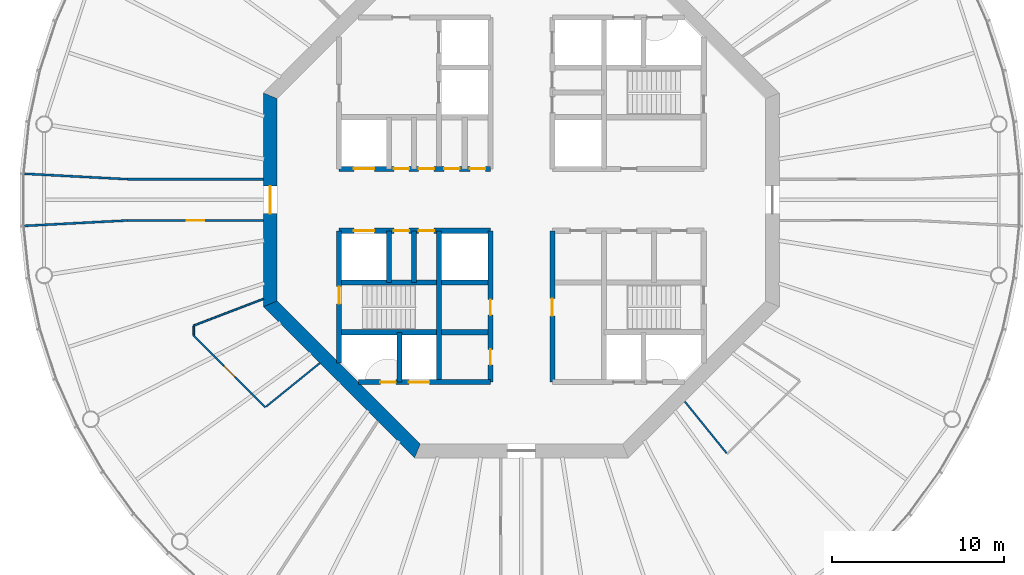
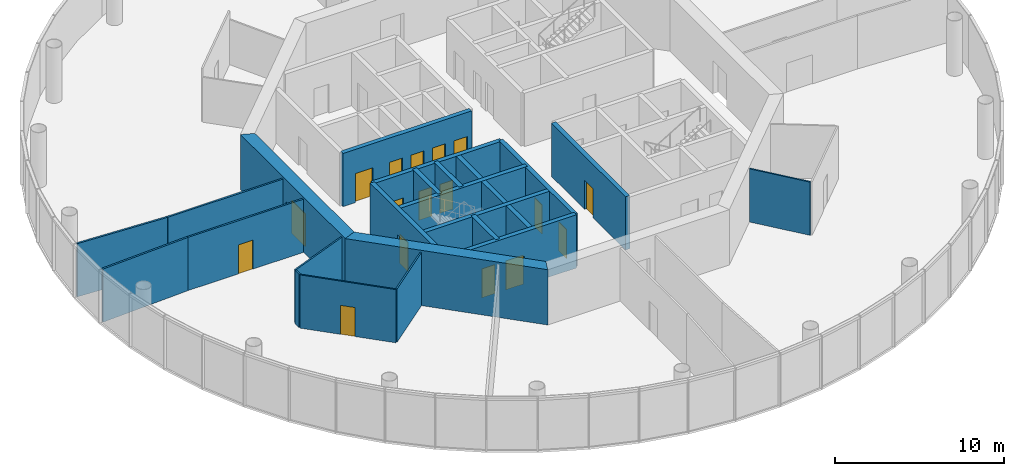
# One storey, part 3 of 13: 23 walls, 17 doors, 17 openings.
"""IFC4 building model written with IfcOpenShell, lengths in metres."""

import ifcopenshell
import ifcopenshell.guid

model = None  # the IFC model being written
_history = None  # IfcOwnerHistory: only IFC2X3 demands one
_inside = {}  # id of a spatial element -> (the spatial element, [elements in it])
_under = {}  # id of a project, library or spatial element -> (it, [spatial elements below it])
_declared = {}  # id of a project -> (the project, [libraries it declares])
_typed = {}  # id of a type object -> (the type object, [elements of that type])
_made_of = {}  # id of a material, layer set ... -> (it, [elements and type objects made of it])


def new_model(schema):
    """Start an empty IFC model of exactly this schema.

    Asked for "IFC4X3", IfcOpenShell would pick the latest addendum, in which some entities
    have other attributes; the version numbers below select the first issue.
    IFC2X3 requires an IfcOwnerHistory on every rooted entity: one is made here for all.
    """
    global model, _history
    if schema == "IFC4X3":
        model = ifcopenshell.file(schema_version=(4, 3, 0, 0))
    else:
        model = ifcopenshell.file(schema=schema)
    _inside.clear()
    _under.clear()
    _declared.clear()
    _typed.clear()
    _made_of.clear()
    _history = None
    if model.schema == "IFC2X3":
        org = make("IfcOrganization", Name="unknown")
        user = make(
            "IfcPersonAndOrganization",
            ThePerson=make("IfcPerson", FamilyName="unknown"),
            TheOrganization=org,
        )
        app = make(
            "IfcApplication",
            ApplicationDeveloper=org,
            Version="unknown",
            ApplicationFullName="unknown",
            ApplicationIdentifier="unknown",
        )
        _history = make(
            "IfcOwnerHistory",
            OwningUser=user,
            OwningApplication=app,
            ChangeAction="ADDED",
            CreationDate=0,
        )
    return model


def make(cls, **values):
    """One entity of the class cls with the attributes given. An attribute that is None is left unset."""
    return model.create_entity(
        cls, **{name: value for name, value in values.items() if value is not None}
    )


def rooted(cls, **values):
    """An entity with a GlobalId (a new one), such as an element, a storey or a relation."""
    return make(cls, GlobalId=ifcopenshell.guid.new(), OwnerHistory=_history, **values)


def si_unit(unit_type, name, prefix=None):
    """IfcSIUnit, for example si_unit("LENGTHUNIT", "METRE", prefix="MILLI")."""
    return make("IfcSIUnit", UnitType=unit_type, Prefix=prefix, Name=name)


def assignment(units):
    """IfcUnitAssignment: the units of a project."""
    return None if units is None else make("IfcUnitAssignment", Units=units)


def point(xyz):
    """IfcCartesianPoint."""
    return None if xyz is None else make("IfcCartesianPoint", Coordinates=xyz)


def direction(xyz):
    """IfcDirection."""
    return None if xyz is None else make("IfcDirection", DirectionRatios=xyz)


def frame(location, z_axis=None, x_axis=None):
    """IfcAxis2Placement3D, a coordinate frame: its origin and axes. An axis left out is left unset."""
    return make(
        "IfcAxis2Placement3D",
        Location=point(location),
        Axis=direction(z_axis),
        RefDirection=direction(x_axis),
    )


def frame_2d(location, x_axis=None):
    """IfcAxis2Placement2D, a coordinate frame in the plane: its origin and x axis."""
    return make(
        "IfcAxis2Placement2D", Location=point(location), RefDirection=direction(x_axis)
    )


def origin():
    """The frame at (0, 0, 0) with its axes left unset."""
    return frame((0.0, 0.0, 0.0))


def place(relative_to, where):
    """IfcLocalPlacement: puts the frame where relative to a parent placement (None: the world)."""
    return make(
        "IfcLocalPlacement", PlacementRelTo=relative_to, RelativePlacement=where
    )


def context(
    kind, dimensions, precision=None, world=None, true_north=None, identifier=None
):
    """IfcGeometricRepresentationContext, for example the 3D "Model" context."""
    return make(
        "IfcGeometricRepresentationContext",
        ContextIdentifier=identifier,
        ContextType=kind,
        CoordinateSpaceDimension=dimensions,
        Precision=precision,
        WorldCoordinateSystem=world,
        TrueNorth=true_north,
    )


def subcontext(parent, identifier, kind, view, scale=None):
    """IfcGeometricRepresentationSubContext, for example "Body" below "Model"."""
    return make(
        "IfcGeometricRepresentationSubContext",
        ContextIdentifier=identifier,
        ContextType=kind,
        ParentContext=parent,
        TargetScale=scale,
        TargetView=view,
    )


def project(units=None, contexts=None):
    """IfcProject with its units and contexts."""
    return rooted(
        "IfcProject",
        Name="project",
        RepresentationContexts=contexts,
        UnitsInContext=assignment(units),
    )


def spatial(cls, under=None, at=None, **own):
    """A site, building, storey or space (cls), placed at a placement, below another one or the project."""
    s = rooted(cls, ObjectPlacement=at, **own)
    if under is not None:
        _under.setdefault(under.id(), (under, []))[1].append(s)
    return s


def polyline(points):
    """IfcPolyline through the points."""
    return make("IfcPolyline", Points=[point(p) for p in points])


def profile(cls, at=None, kind="AREA", **sizes):
    """A parametric profile (cls). Its sizes go by their IFC names, for example OverallWidth=200.0."""
    return make(cls, ProfileType=kind, Position=at, **sizes)


def rectangle(**sizes):
    """IfcRectangleProfileDef."""
    return profile("IfcRectangleProfileDef", **sizes)


def outline(outer, holes=None, kind="AREA"):
    """IfcArbitraryClosedProfileDef: a profile drawn as a closed curve; with holes, ...WithVoids."""
    if holes is None:
        return make("IfcArbitraryClosedProfileDef", ProfileType=kind, OuterCurve=outer)
    return make(
        "IfcArbitraryProfileDefWithVoids",
        ProfileType=kind,
        OuterCurve=outer,
        InnerCurves=holes,
    )


def extrude(swept, where, along, depth):
    """IfcExtrudedAreaSolid: the profile swept, set in the frame where, extruded along a direction by depth."""
    return make(
        "IfcExtrudedAreaSolid",
        SweptArea=swept,
        Position=where,
        ExtrudedDirection=direction(along),
        Depth=depth,
    )


def shape(context_of_items, identifier, shape_type, items):
    """IfcShapeRepresentation: the items that make up one representation, for example the "Body"."""
    return make(
        "IfcShapeRepresentation",
        ContextOfItems=context_of_items,
        RepresentationIdentifier=identifier,
        RepresentationType=shape_type,
        Items=items,
    )


def material(Name=None, Category=None):
    """IfcMaterial."""
    return make("IfcMaterial", Name=Name, Category=Category)


def layer(
    of_material, thickness, ventilated=None, Name=None, Category=None, Priority=None
):
    """IfcMaterialLayer: one layer of a wall or slab, of a material (None: an air gap)."""
    return make(
        "IfcMaterialLayer",
        Material=of_material,
        LayerThickness=thickness,
        IsVentilated=ventilated,
        Name=Name,
        Category=Category,
        Priority=Priority,
    )


def layer_set(layers, Name=None):
    """IfcMaterialLayerSet."""
    return make("IfcMaterialLayerSet", MaterialLayers=layers, LayerSetName=Name)


def made_of(thing, what):
    """Note that an element or type object is made of a material, layer set ...; save() writes the relation."""
    if what is not None:
        _made_of.setdefault(what.id(), (what, []))[1].append(thing)
    return thing


def type_object(cls, material=None, **own):
    """A type object (cls), such as IfcWallType, which elements share."""
    return made_of(rooted(cls, **own), material)


def element(
    cls,
    number,
    at=None,
    inside=None,
    cuts=None,
    type_object=None,
    material=None,
    context=None,
    identifier="Body",
    shape_type=None,
    held_by="IfcProductDefinitionShape",
    body=None,
    shapes=None,
    **own,
):
    """One element of the class cls, such as IfcWall. Its Tag is "e" and its number.

    at: its placement. inside: the storey or other place that contains it. cuts: it is an
    opening in that element (IfcRelVoidsElement). A single representation is given by context,
    identifier, shape_type and body (its items); several are given by shapes. held_by: the class
    of the entity that holds the representations. save() writes the other relations.
    """
    e = rooted(cls, Tag="e%d" % number, ObjectPlacement=at, **own)
    if body is not None:
        shapes = [shape(context, identifier, shape_type, body)]
    if shapes is not None:
        e.Representation = make(held_by, Representations=shapes)
    if inside is not None:
        _inside.setdefault(inside.id(), (inside, []))[1].append(e)
    if cuts is not None:
        rooted(
            "IfcRelVoidsElement", RelatingBuildingElement=cuts, RelatedOpeningElement=e
        )
    if type_object is not None:
        _typed.setdefault(type_object.id(), (type_object, []))[1].append(e)
    return made_of(e, material)


def fill(opening, filler):
    """IfcRelFillsElement: the door or window that sits in an opening."""
    return rooted(
        "IfcRelFillsElement",
        RelatingOpeningElement=opening,
        RelatedBuildingElement=filler,
    )


def aggregate(whole, parts):
    """IfcRelAggregates: a whole, such as a stair, and the parts it consists of."""
    return rooted("IfcRelAggregates", RelatingObject=whole, RelatedObjects=parts)


def save(model, path):
    """Write the relations noted so far, then the file.

    IfcRelAggregates (storeys below a building ...), IfcRelContainedInSpatialStructure (elements
    in a storey), IfcRelDefinesByType, IfcRelAssociatesMaterial and IfcRelDeclares: one each for
    every whole, place, type object, material and project.
    """
    for whole, parts in _under.values():
        aggregate(whole, parts)
    for where, things in _inside.values():
        rooted(
            "IfcRelContainedInSpatialStructure",
            RelatedElements=things,
            RelatingStructure=where,
        )
    for kind, things in _typed.values():
        rooted("IfcRelDefinesByType", RelatedObjects=things, RelatingType=kind)
    for what, things in _made_of.values():
        rooted("IfcRelAssociatesMaterial", RelatedObjects=things, RelatingMaterial=what)
    for by, libraries in _declared.values():
        rooted("IfcRelDeclares", RelatingContext=by, RelatedDefinitions=libraries)
    model.write(path)


model = new_model("IFC4")

# Units and contexts
model_context = context("Model", 3, precision=1e-05, world=origin(), true_north=direction((0.0, 1.0)))
body_context = subcontext(model_context, "Body", "Model", "MODEL_VIEW")
ifc_project = project(units=[si_unit("LENGTHUNIT", "METRE"), si_unit("AREAUNIT", "SQUARE_METRE"), si_unit("VOLUMEUNIT", "CUBIC_METRE"), si_unit("PLANEANGLEUNIT", "RADIAN"), si_unit("MASSUNIT", "GRAM", prefix="KILO")], contexts=[model_context])

# Site, building, storey
site_placement = place(None, origin())
site = spatial("IfcSite", under=ifc_project, at=site_placement, CompositionType="ELEMENT")
building_placement = place(site_placement, origin())
building = spatial("IfcBuilding", under=site, at=building_placement, Name="Entoto Ring Tower", CompositionType="ELEMENT")
storey_placement = place(building_placement, frame((0.0, 0.0, 298.0)))
storey = spatial("IfcBuildingStorey", under=building, at=storey_placement, Name="L68", CompositionType="ELEMENT", Elevation=298.0)

# Wall, opening, door
ifc_material_1 = material(Name="Concrete C40/50", Category="concrete")
ifc_layer_1 = layer(ifc_material_1, 0.300048828125)
ifc_layer_set_1 = layer_set([ifc_layer_1], Name="Concrete C40/50")
wall_type_1 = type_object("IfcWallType", Name="Core enclosure wall 300 mm reinforced concrete", PredefinedType="SOLIDWALL", material=ifc_layer_set_1)
wall_1_placement = place(storey_placement, frame((91.800048828125, 69.39990234375, 0.0), z_axis=(0.0, 0.0, 1.0), x_axis=(0.0, 1.0, 0.0)))
wall_1 = element("IfcWall", 1, at=wall_1_placement, inside=storey, type_object=wall_type_1, Name="wall-L68-008", PredefinedType="SOLIDWALL", context=body_context, shape_type="SweptSolid", body=[
    extrude(rectangle(XDim=8.800048828125, YDim=0.300048828125, at=frame_2d((4.39990234375, 0.0))), origin(), (0.0, 0.0, 1.0), 3.85009765625),
])
opening_1_placement = place(wall_1_placement, frame((3.85009765625, 0.0, 0.0)))
opening_1 = element("IfcOpeningElement", 2, at=opening_1_placement, cuts=wall_1, Name="Opening K-64", PredefinedType="OPENING", context=body_context, shape_type="SweptSolid", body=[
    extrude(rectangle(XDim=1.0, YDim=2.10009765625, at=frame_2d((0.5, 1.050048828125))), frame((0.0, 0.16015625, 0.0), z_axis=(0.0, -1.0, 0.0), x_axis=(1.0, 0.0, 0.0)), (0.0, 0.0, 1.0), 0.320068359375),
])
ifc_material_2 = material(Name="Steel door leaf, fire rated", Category="steel")
ifc_layer_2 = layer(ifc_material_2, 0.050048828125)
ifc_layer_set_2 = layer_set([ifc_layer_2], Name="Steel door leaf, fire rated")
door_type_1 = type_object("IfcDoorType", Name="Accessible door 1000 x 2100 single leaf", OperationType="NOTDEFINED", PredefinedType="DOOR", material=ifc_layer_set_2)
door_1_placement = place(opening_1_placement, frame((1.0, 0.0, 0.0), z_axis=(0.0, 0.0, 1.0), x_axis=(-1.0, 0.0, 0.0)))
door_1 = element("IfcDoor", 3, at=door_1_placement, inside=storey, type_object=door_type_1, Name="Door K-64", OperationType="SINGLE_SWING_LEFT", OverallHeight=2.10009765625, OverallWidth=1.0, PredefinedType="DOOR", context=body_context, shape_type="SweptSolid", body=[
    extrude(rectangle(XDim=1.0, YDim=2.10009765625, at=frame_2d((0.5, 1.050048828125))), frame((0.0, 0.02490234375, 0.0), z_axis=(0.0, -1.0, 0.0), x_axis=(1.0, 0.0, 0.0)), (0.0, 0.0, 1.0), 0.050048828125),
])
fill(opening_1, door_1)

# Wall, openings, doors
wall_2_placement = place(storey_placement, frame((88.199951171875, 69.39990234375, 0.0), z_axis=(0.0, 0.0, 1.0), x_axis=(0.0, 1.0, 0.0)))
wall_2 = element("IfcWall", 4, at=wall_2_placement, inside=storey, type_object=wall_type_1, Name="wall-L68-010", PredefinedType="SOLIDWALL", context=body_context, shape_type="SweptSolid", body=[
    extrude(rectangle(XDim=8.800048828125, YDim=0.300048828125, at=frame_2d((4.39990234375, 0.0))), origin(), (0.0, 0.0, 1.0), 3.85009765625),
])
opening_2_placement = place(wall_2_placement, frame((3.89990234375, 0.0, 0.0)))
opening_2 = element("IfcOpeningElement", 5, at=opening_2_placement, cuts=wall_2, Name="Opening K-21", PredefinedType="OPENING", context=body_context, shape_type="SweptSolid", body=[
    extrude(rectangle(XDim=0.89990234375, YDim=2.10009765625, at=frame_2d((0.449951171875, 1.050048828125))), frame((0.0, 0.16015625, 0.0), z_axis=(0.0, -1.0, 0.0), x_axis=(1.0, 0.0, 0.0)), (0.0, 0.0, 1.0), 0.320068359375),
])
opening_3_placement = place(wall_2_placement, frame((1.0, 0.0, 0.0)))
opening_3 = element("IfcOpeningElement", 6, at=opening_3_placement, cuts=wall_2, Name="Opening K-69", PredefinedType="OPENING", context=body_context, shape_type="SweptSolid", body=[
    extrude(rectangle(XDim=0.89990234375, YDim=2.10009765625, at=frame_2d((0.449951171875, 1.050048828125))), frame((0.0, 0.16015625, 0.0), z_axis=(0.0, -1.0, 0.0), x_axis=(1.0, 0.0, 0.0)), (0.0, 0.0, 1.0), 0.320068359375),
])
ifc_material_3 = material(Name="Steel door leaf, fire rated", Category="steel")
ifc_layer_3 = layer(ifc_material_3, 0.050048828125)
ifc_layer_set_3 = layer_set([ifc_layer_3], Name="Steel door leaf, fire rated")
door_type_2 = type_object("IfcDoorType", Name="Core door 900 x 2100 single leaf", OperationType="NOTDEFINED", PredefinedType="DOOR", material=ifc_layer_set_3)
door_2_placement = place(opening_2_placement, origin())
door_2 = element("IfcDoor", 7, at=door_2_placement, inside=storey, type_object=door_type_2, Name="Door K-21", OperationType="SINGLE_SWING_RIGHT", OverallHeight=2.10009765625, OverallWidth=0.89990234375, PredefinedType="DOOR", context=body_context, shape_type="SweptSolid", body=[
    extrude(rectangle(XDim=0.89990234375, YDim=2.10009765625, at=frame_2d((0.449951171875, 1.050048828125))), frame((0.0, 0.02490234375, 0.0), z_axis=(0.0, -1.0, 0.0), x_axis=(1.0, 0.0, 0.0)), (0.0, 0.0, 1.0), 0.050048828125),
])
fill(opening_2, door_2)
door_3_placement = place(opening_3_placement, origin())
door_3 = element("IfcDoor", 8, at=door_3_placement, inside=storey, type_object=door_type_2, Name="Door K-69", OperationType="SINGLE_SWING_RIGHT", OverallHeight=2.10009765625, OverallWidth=0.89990234375, PredefinedType="DOOR", context=body_context, shape_type="SweptSolid", body=[
    extrude(rectangle(XDim=0.89990234375, YDim=2.10009765625, at=frame_2d((0.449951171875, 1.050048828125))), frame((0.0, 0.02490234375, 0.0), z_axis=(0.0, -1.0, 0.0), x_axis=(1.0, 0.0, 0.0)), (0.0, 0.0, 1.0), 0.050048828125),
])
fill(opening_3, door_3)

# Walls
wall_3_placement = place(storey_placement, frame((85.199951171875, 69.39990234375, 0.0), z_axis=(0.0, 0.0, 1.0), x_axis=(0.0, 1.0, 0.0)))
element("IfcWall", 9, at=wall_3_placement, inside=storey, type_object=wall_type_1, Name="wall-L68-013", PredefinedType="SOLIDWALL", context=body_context, shape_type="SweptSolid", body=[
    extrude(rectangle(XDim=8.800048828125, YDim=0.300048828125, at=frame_2d((4.39990234375, 0.0))), origin(), (0.0, 0.0, 1.0), 3.85009765625),
])
wall_4_placement = place(storey_placement, frame((83.75, 75.199951171875, 0.0), z_axis=(0.0, 0.0, 1.0), x_axis=(0.0, 1.0, 0.0)))
element("IfcWall", 10, at=wall_4_placement, inside=storey, type_object=wall_type_1, Name="wall-L68-015", PredefinedType="SOLIDWALL", context=body_context, shape_type="SweptSolid", body=[
    extrude(rectangle(XDim=3.0, YDim=0.300048828125, at=frame_2d((1.5, 0.0))), origin(), (0.0, 0.0, 1.0), 3.85009765625),
])
wall_5_placement = place(storey_placement, frame((82.89990234375, 69.39990234375, 0.0), z_axis=(0.0, 0.0, 1.0), x_axis=(0.0, 1.0, 0.0)))
element("IfcWall", 11, at=wall_5_placement, inside=storey, type_object=wall_type_1, Name="wall-L68-017", PredefinedType="SOLIDWALL", context=body_context, shape_type="SweptSolid", body=[
    extrude(rectangle(XDim=2.900146484375, YDim=0.300048828125, at=frame_2d((1.4501953125, 0.0))), origin(), (0.0, 0.0, 1.0), 3.85009765625),
])
wall_6_placement = place(storey_placement, frame((82.300048828125, 75.199951171875, 0.0), z_axis=(0.0, 0.0, 1.0), x_axis=(0.0, 1.0, 0.0)))
element("IfcWall", 12, at=wall_6_placement, inside=storey, type_object=wall_type_1, Name="wall-L68-018", PredefinedType="SOLIDWALL", context=body_context, shape_type="SweptSolid", body=[
    extrude(rectangle(XDim=3.0, YDim=0.300048828125, at=frame_2d((1.5, 0.0))), origin(), (0.0, 0.0, 1.0), 3.85009765625),
])

# Wall, opening, door
wall_7_placement = place(storey_placement, frame((79.39990234375, 70.518310546875, 0.0), z_axis=(0.0, 0.0, 1.0), x_axis=(0.0, 1.0, 0.0)))
wall_7 = element("IfcWall", 13, at=wall_7_placement, inside=storey, type_object=wall_type_1, Name="wall-L68-020", PredefinedType="SOLIDWALL", context=body_context, shape_type="SweptSolid", body=[
    extrude(rectangle(XDim=7.681640625, YDim=0.300048828125, at=frame_2d((3.8408203125, 0.0))), origin(), (0.0, 0.0, 1.0), 3.85009765625),
])
opening_4_placement = place(wall_7_placement, frame((3.431884765625, 0.0, 0.0)))
opening_4 = element("IfcOpeningElement", 14, at=opening_4_placement, cuts=wall_7, Name="Opening K-27", PredefinedType="OPENING", context=body_context, shape_type="SweptSolid", body=[
    extrude(rectangle(XDim=1.0, YDim=2.10009765625, at=frame_2d((0.5, 1.050048828125))), frame((0.0, 0.16015625, 0.0), z_axis=(0.0, -1.0, 0.0), x_axis=(1.0, 0.0, 0.0)), (0.0, 0.0, 1.0), 0.320068359375),
])
ifc_material_4 = material(Name="Steel door leaf, fire rated", Category="steel")
ifc_layer_4 = layer(ifc_material_4, 0.050048828125)
ifc_layer_set_4 = layer_set([ifc_layer_4], Name="Steel door leaf, fire rated")
door_type_3 = type_object("IfcDoorType", Name="Fire door FD60 1000 x 2100 single leaf", OperationType="NOTDEFINED", PredefinedType="DOOR", material=ifc_layer_set_4)
door_4_placement = place(opening_4_placement, frame((1.0, 0.0, 0.0), z_axis=(0.0, 0.0, 1.0), x_axis=(-1.0, 0.0, 0.0)))
door_4 = element("IfcDoor", 15, at=door_4_placement, inside=storey, type_object=door_type_3, Name="Door K-27", OperationType="SINGLE_SWING_LEFT", OverallHeight=2.10009765625, OverallWidth=1.0, PredefinedType="DOOR", context=body_context, shape_type="SweptSolid", body=[
    extrude(rectangle(XDim=1.0, YDim=2.10009765625, at=frame_2d((0.5, 1.050048828125))), frame((0.0, 0.02490234375, 0.0), z_axis=(0.0, -1.0, 0.0), x_axis=(1.0, 0.0, 0.0)), (0.0, 0.0, 1.0), 0.050048828125),
])
fill(opening_4, door_4)

# Wall, openings, doors
wall_8_placement = place(storey_placement, frame((80.518310546875, 69.39990234375, 0.0), z_axis=(0.0, 0.0, 1.0), x_axis=(1.0, 0.0, 0.0)))
wall_8 = element("IfcWall", 16, at=wall_8_placement, inside=storey, type_object=wall_type_1, Name="wall-L68-022", PredefinedType="SOLIDWALL", context=body_context, shape_type="SweptSolid", body=[
    extrude(rectangle(XDim=7.681640625, YDim=0.300048828125, at=frame_2d((3.8408203125, 0.0))), origin(), (0.0, 0.0, 1.0), 3.85009765625),
])
opening_5_placement = place(wall_8_placement, frame((2.931884765625, 0.0, 0.0)))
opening_5 = element("IfcOpeningElement", 17, at=opening_5_placement, cuts=wall_8, Name="Opening LD", PredefinedType="OPENING", context=body_context, shape_type="SweptSolid", body=[
    extrude(rectangle(XDim=1.199951171875, YDim=2.10009765625, at=frame_2d((0.60009765625, 1.050048828125))), frame((0.0, 0.16015625, 0.0), z_axis=(0.0, -1.0, 0.0), x_axis=(1.0, 0.0, 0.0)), (0.0, 0.0, 1.0), 0.320068359375),
])
opening_6_placement = place(wall_8_placement, frame((1.28173828125, 0.0, 0.0)))
opening_6 = element("IfcOpeningElement", 18, at=opening_6_placement, cuts=wall_8, Name="Opening K-84", PredefinedType="OPENING", context=body_context, shape_type="SweptSolid", body=[
    extrude(rectangle(XDim=0.89990234375, YDim=2.10009765625, at=frame_2d((0.449951171875, 1.050048828125))), frame((0.0, 0.16015625, 0.0), z_axis=(0.0, -1.0, 0.0), x_axis=(1.0, 0.0, 0.0)), (0.0, 0.0, 1.0), 0.320068359375),
])
ifc_material_5 = material(Name="Steel and glass door leaf", Category="steel")
ifc_layer_5 = layer(ifc_material_5, 0.050048828125)
ifc_layer_set_5 = layer_set([ifc_layer_5], Name="Steel and glass door leaf")
door_type_4 = type_object("IfcDoorType", Name="Landing door 1200 x 2100 sliding", OperationType="DOUBLE_DOOR_SLIDING", PredefinedType="DOOR", material=ifc_layer_set_5)
door_5_placement = place(opening_5_placement, origin())
door_5 = element("IfcDoor", 19, at=door_5_placement, inside=storey, type_object=door_type_4, Name="Landing door LB3-HR", OperationType="SLIDING_TO_RIGHT", OverallHeight=2.10009765625, OverallWidth=1.199951171875, PredefinedType="DOOR", context=body_context, shape_type="SweptSolid", body=[
    extrude(rectangle(XDim=1.199951171875, YDim=2.10009765625, at=frame_2d((0.60009765625, 1.050048828125))), frame((0.0, 0.02490234375, 0.0), z_axis=(0.0, -1.0, 0.0), x_axis=(1.0, 0.0, 0.0)), (0.0, 0.0, 1.0), 0.050048828125),
])
fill(opening_5, door_5)
ifc_material_6 = material(Name="Steel door leaf, fire rated", Category="steel")
ifc_layer_6 = layer(ifc_material_6, 0.050048828125)
ifc_layer_set_6 = layer_set([ifc_layer_6], Name="Steel door leaf, fire rated")
door_type_5 = type_object("IfcDoorType", Name="Riser door FD60 900 x 2100 single leaf", OperationType="NOTDEFINED", PredefinedType="DOOR", material=ifc_layer_set_6)
door_6_placement = place(opening_6_placement, origin())
door_6 = element("IfcDoor", 20, at=door_6_placement, inside=storey, type_object=door_type_5, Name="Door K-84", OperationType="SINGLE_SWING_RIGHT", OverallHeight=2.10009765625, OverallWidth=0.89990234375, PredefinedType="DOOR", context=body_context, shape_type="SweptSolid", body=[
    extrude(rectangle(XDim=0.89990234375, YDim=2.10009765625, at=frame_2d((0.449951171875, 1.050048828125))), frame((0.0, 0.02490234375, 0.0), z_axis=(0.0, -1.0, 0.0), x_axis=(1.0, 0.0, 0.0)), (0.0, 0.0, 1.0), 0.050048828125),
])
fill(opening_6, door_6)

# Walls
for number, where, z_axis, x_axis, name in (
    (21, (79.39990234375, 72.300048828125, 0.0), (0.0, 0.0, 1.0), (1.0, 0.0, 0.0), "wall-L68-024"),
    (22, (79.39990234375, 75.199951171875, 0.0), (0.0, 0.0, 1.0), (1.0, 0.0, 0.0), "wall-L68-026"),
):
    element("IfcWall", number, at=place(storey_placement, frame(where, z_axis=z_axis, x_axis=x_axis)), inside=storey, type_object=wall_type_1, Name=name, PredefinedType="SOLIDWALL", context=body_context, shape_type="SweptSolid", body=[
        extrude(rectangle(XDim=8.800048828125, YDim=0.300048828125, at=frame_2d((4.39990234375, 0.0))), origin(), (0.0, 0.0, 1.0), 3.85009765625),
    ])

# Wall, openings, doors
wall_9_placement = place(storey_placement, frame((79.39990234375, 78.199951171875, 0.0), z_axis=(0.0, 0.0, 1.0), x_axis=(1.0, 0.0, 0.0)))
wall_9 = element("IfcWall", 23, at=wall_9_placement, inside=storey, type_object=wall_type_1, Name="wall-L68-028", PredefinedType="SOLIDWALL", context=body_context, shape_type="SweptSolid", body=[
    extrude(rectangle(XDim=8.800048828125, YDim=0.300048828125, at=frame_2d((4.39990234375, 0.0))), origin(), (0.0, 0.0, 1.0), 3.85009765625),
])
opening_7_placement = place(wall_9_placement, frame((0.85009765625, 0.0, 0.0)))
opening_7 = element("IfcOpeningElement", 24, at=opening_7_placement, cuts=wall_9, Name="Opening LD", PredefinedType="OPENING", context=body_context, shape_type="SweptSolid", body=[
    extrude(rectangle(XDim=1.199951171875, YDim=2.10009765625, at=frame_2d((0.60009765625, 1.050048828125))), frame((0.0, 0.16015625, 0.0), z_axis=(0.0, -1.0, 0.0), x_axis=(1.0, 0.0, 0.0)), (0.0, 0.0, 1.0), 0.320068359375),
])
opening_8_placement = place(wall_9_placement, frame((3.175048828125, 0.0, 0.0)))
opening_8 = element("IfcOpeningElement", 25, at=opening_8_placement, cuts=wall_9, Name="Opening K-16", PredefinedType="OPENING", context=body_context, shape_type="SweptSolid", body=[
    extrude(rectangle(XDim=0.89990234375, YDim=2.10009765625, at=frame_2d((0.449951171875, 1.050048828125))), frame((0.0, 0.16015625, 0.0), z_axis=(0.0, -1.0, 0.0), x_axis=(1.0, 0.0, 0.0)), (0.0, 0.0, 1.0), 0.320068359375),
])
opening_9_placement = place(wall_9_placement, frame((4.625, 0.0, 0.0)))
opening_9 = element("IfcOpeningElement", 26, at=opening_9_placement, cuts=wall_9, Name="Opening K-57", PredefinedType="OPENING", context=body_context, shape_type="SweptSolid", body=[
    extrude(rectangle(XDim=0.89990234375, YDim=2.10009765625, at=frame_2d((0.449951171875, 1.050048828125))), frame((0.0, 0.16015625, 0.0), z_axis=(0.0, -1.0, 0.0), x_axis=(1.0, 0.0, 0.0)), (0.0, 0.0, 1.0), 0.320068359375),
])
door_7_placement = place(opening_8_placement, frame((0.89990234375, 0.0, 0.0), z_axis=(0.0, 0.0, 1.0), x_axis=(-1.0, 0.0, 0.0)))
door_7 = element("IfcDoor", 27, at=door_7_placement, inside=storey, type_object=door_type_2, Name="Door K-16", OperationType="SINGLE_SWING_LEFT", OverallHeight=2.10009765625, OverallWidth=0.89990234375, PredefinedType="DOOR", context=body_context, shape_type="SweptSolid", body=[
    extrude(rectangle(XDim=0.89990234375, YDim=2.10009765625, at=frame_2d((0.449951171875, 1.050048828125))), frame((0.0, 0.02490234375, 0.0), z_axis=(0.0, -1.0, 0.0), x_axis=(1.0, 0.0, 0.0)), (0.0, 0.0, 1.0), 0.050048828125),
])
fill(opening_8, door_7)
door_8_placement = place(opening_9_placement, frame((0.89990234375, 0.0, 0.0), z_axis=(0.0, 0.0, 1.0), x_axis=(-1.0, 0.0, 0.0)))
door_8 = element("IfcDoor", 28, at=door_8_placement, inside=storey, type_object=door_type_2, Name="Door K-57", OperationType="SINGLE_SWING_LEFT", OverallHeight=2.10009765625, OverallWidth=0.89990234375, PredefinedType="DOOR", context=body_context, shape_type="SweptSolid", body=[
    extrude(rectangle(XDim=0.89990234375, YDim=2.10009765625, at=frame_2d((0.449951171875, 1.050048828125))), frame((0.0, 0.02490234375, 0.0), z_axis=(0.0, -1.0, 0.0), x_axis=(1.0, 0.0, 0.0)), (0.0, 0.0, 1.0), 0.050048828125),
])
fill(opening_9, door_8)
door_9_placement = place(opening_7_placement, origin())
door_9 = element("IfcDoor", 29, at=door_9_placement, inside=storey, type_object=door_type_4, Name="Landing door SH2", OperationType="SLIDING_TO_RIGHT", OverallHeight=2.10009765625, OverallWidth=1.199951171875, PredefinedType="DOOR", context=body_context, shape_type="SweptSolid", body=[
    extrude(rectangle(XDim=1.199951171875, YDim=2.10009765625, at=frame_2d((0.60009765625, 1.050048828125))), frame((0.0, 0.02490234375, 0.0), z_axis=(0.0, -1.0, 0.0), x_axis=(1.0, 0.0, 0.0)), (0.0, 0.0, 1.0), 0.050048828125),
])
fill(opening_7, door_9)

wall_10_placement = place(storey_placement, frame((79.39990234375, 81.800048828125, 0.0), z_axis=(0.0, 0.0, 1.0), x_axis=(1.0, 0.0, 0.0)))
wall_10 = element("IfcWall", 30, at=wall_10_placement, inside=storey, type_object=wall_type_1, Name="wall-L68-030", PredefinedType="SOLIDWALL", context=body_context, shape_type="SweptSolid", body=[
    extrude(rectangle(XDim=8.800048828125, YDim=0.300048828125, at=frame_2d((4.39990234375, 0.0))), origin(), (0.0, 0.0, 1.0), 3.85009765625),
])
opening_10_placement = place(wall_10_placement, frame((0.85009765625, 0.0, 0.0)))
opening_10 = element("IfcOpeningElement", 31, at=opening_10_placement, cuts=wall_10, Name="Opening LD", PredefinedType="OPENING", context=body_context, shape_type="SweptSolid", body=[
    extrude(rectangle(XDim=1.199951171875, YDim=2.10009765625, at=frame_2d((0.60009765625, 1.050048828125))), frame((0.0, 0.16015625, 0.0), z_axis=(0.0, -1.0, 0.0), x_axis=(1.0, 0.0, 0.0)), (0.0, 0.0, 1.0), 0.320068359375),
])
opening_11_placement = place(wall_10_placement, frame((3.175048828125, 0.0, 0.0)))
opening_11 = element("IfcOpeningElement", 32, at=opening_11_placement, cuts=wall_10, Name="Opening K-12", PredefinedType="OPENING", context=body_context, shape_type="SweptSolid", body=[
    extrude(rectangle(XDim=0.89990234375, YDim=2.10009765625, at=frame_2d((0.449951171875, 1.050048828125))), frame((0.0, 0.16015625, 0.0), z_axis=(0.0, -1.0, 0.0), x_axis=(1.0, 0.0, 0.0)), (0.0, 0.0, 1.0), 0.320068359375),
])
opening_12_placement = place(wall_10_placement, frame((4.625, 0.0, 0.0)))
opening_12 = element("IfcOpeningElement", 33, at=opening_12_placement, cuts=wall_10, Name="Opening K-46", PredefinedType="OPENING", context=body_context, shape_type="SweptSolid", body=[
    extrude(rectangle(XDim=0.89990234375, YDim=2.10009765625, at=frame_2d((0.449951171875, 1.050048828125))), frame((0.0, 0.16015625, 0.0), z_axis=(0.0, -1.0, 0.0), x_axis=(1.0, 0.0, 0.0)), (0.0, 0.0, 1.0), 0.320068359375),
])
opening_13_placement = place(wall_10_placement, frame((6.10009765625, 0.0, 0.0)))
opening_13 = element("IfcOpeningElement", 34, at=opening_13_placement, cuts=wall_10, Name="Opening K-71", PredefinedType="OPENING", context=body_context, shape_type="SweptSolid", body=[
    extrude(rectangle(XDim=0.89990234375, YDim=2.10009765625, at=frame_2d((0.449951171875, 1.050048828125))), frame((0.0, 0.16015625, 0.0), z_axis=(0.0, -1.0, 0.0), x_axis=(1.0, 0.0, 0.0)), (0.0, 0.0, 1.0), 0.320068359375),
])
opening_14_placement = place(wall_10_placement, frame((7.60009765625, 0.0, 0.0)))
opening_14 = element("IfcOpeningElement", 35, at=opening_14_placement, cuts=wall_10, Name="Opening K-24", PredefinedType="OPENING", context=body_context, shape_type="SweptSolid", body=[
    extrude(rectangle(XDim=0.89990234375, YDim=2.10009765625, at=frame_2d((0.449951171875, 1.050048828125))), frame((0.0, 0.16015625, 0.0), z_axis=(0.0, -1.0, 0.0), x_axis=(1.0, 0.0, 0.0)), (0.0, 0.0, 1.0), 0.320068359375),
])
door_10_placement = place(opening_11_placement, origin())
door_10 = element("IfcDoor", 36, at=door_10_placement, inside=storey, type_object=door_type_2, Name="Door K-12", OperationType="SINGLE_SWING_RIGHT", OverallHeight=2.10009765625, OverallWidth=0.89990234375, PredefinedType="DOOR", context=body_context, shape_type="SweptSolid", body=[
    extrude(rectangle(XDim=0.89990234375, YDim=2.10009765625, at=frame_2d((0.449951171875, 1.050048828125))), frame((0.0, 0.02490234375, 0.0), z_axis=(0.0, -1.0, 0.0), x_axis=(1.0, 0.0, 0.0)), (0.0, 0.0, 1.0), 0.050048828125),
])
fill(opening_11, door_10)
door_11_placement = place(opening_12_placement, origin())
door_11 = element("IfcDoor", 37, at=door_11_placement, inside=storey, type_object=door_type_2, Name="Door K-46", OperationType="SINGLE_SWING_RIGHT", OverallHeight=2.10009765625, OverallWidth=0.89990234375, PredefinedType="DOOR", context=body_context, shape_type="SweptSolid", body=[
    extrude(rectangle(XDim=0.89990234375, YDim=2.10009765625, at=frame_2d((0.449951171875, 1.050048828125))), frame((0.0, 0.02490234375, 0.0), z_axis=(0.0, -1.0, 0.0), x_axis=(1.0, 0.0, 0.0)), (0.0, 0.0, 1.0), 0.050048828125),
])
fill(opening_12, door_11)
door_12_placement = place(opening_13_placement, origin())
door_12 = element("IfcDoor", 38, at=door_12_placement, inside=storey, type_object=door_type_2, Name="Door K-71", OperationType="SINGLE_SWING_LEFT", OverallHeight=2.10009765625, OverallWidth=0.89990234375, PredefinedType="DOOR", context=body_context, shape_type="SweptSolid", body=[
    extrude(rectangle(XDim=0.89990234375, YDim=2.10009765625, at=frame_2d((0.449951171875, 1.050048828125))), frame((0.0, 0.02490234375, 0.0), z_axis=(0.0, -1.0, 0.0), x_axis=(1.0, 0.0, 0.0)), (0.0, 0.0, 1.0), 0.050048828125),
])
fill(opening_13, door_12)
door_13_placement = place(opening_14_placement, origin())
door_13 = element("IfcDoor", 39, at=door_13_placement, inside=storey, type_object=door_type_2, Name="Door K-24", OperationType="SINGLE_SWING_LEFT", OverallHeight=2.10009765625, OverallWidth=0.89990234375, PredefinedType="DOOR", context=body_context, shape_type="SweptSolid", body=[
    extrude(rectangle(XDim=0.89990234375, YDim=2.10009765625, at=frame_2d((0.449951171875, 1.050048828125))), frame((0.0, 0.02490234375, 0.0), z_axis=(0.0, -1.0, 0.0), x_axis=(1.0, 0.0, 0.0)), (0.0, 0.0, 1.0), 0.050048828125),
])
fill(opening_14, door_13)
door_14_placement = place(opening_10_placement, origin())
door_14 = element("IfcDoor", 40, at=door_14_placement, inside=storey, type_object=door_type_4, Name="Landing door SH1", OperationType="SLIDING_TO_RIGHT", OverallHeight=2.10009765625, OverallWidth=1.199951171875, PredefinedType="DOOR", context=body_context, shape_type="SweptSolid", body=[
    extrude(rectangle(XDim=1.199951171875, YDim=2.10009765625, at=frame_2d((0.60009765625, 1.050048828125))), frame((0.0, 0.02490234375, 0.0), z_axis=(0.0, -1.0, 0.0), x_axis=(1.0, 0.0, 0.0)), (0.0, 0.0, 1.0), 0.050048828125),
])
fill(opening_10, door_14)

# Wall, opening, door
ifc_material_7 = material(Name="Concrete C40/50", Category="concrete")
ifc_layer_7 = layer(ifc_material_7, 0.800048828125)
ifc_layer_set_7 = layer_set([ifc_layer_7], Name="Concrete C40/50")
wall_type_2 = type_object("IfcWallType", Name="Core shear wall 800 mm reinforced concrete C40/50", PredefinedType="SHEAR", material=ifc_layer_set_7)
wall_11_placement = place(storey_placement, frame((75.39990234375, 86.047607421875, 0.0), z_axis=(0.0, 0.0, 1.0), x_axis=(0.0, -1.0, 0.0)))
wall_11 = element("IfcWall", 41, at=wall_11_placement, inside=storey, type_object=wall_type_2, Name="wall-L68-core-4", PredefinedType="SHEAR", context=body_context, shape_type="SweptSolid", body=[
    extrude(outline(polyline([(-0.165771484375, -0.39990234375), (12.260986328125, -0.39990234375), (11.929443359375, 0.39990234375), (0.165771484375, 0.39990234375), (-0.165771484375, -0.39990234375)])), origin(), (0.0, 0.0, 1.0), 4.0),
])
opening_15_placement = place(wall_11_placement, frame((5.24755859375, 0.0, 0.0)))
opening_15 = element("IfcOpeningElement", 42, at=opening_15_placement, cuts=wall_11, Name="Opening K-03", PredefinedType="OPENING", context=body_context, shape_type="SweptSolid", body=[
    extrude(rectangle(XDim=1.60009765625, YDim=2.39990234375, at=frame_2d((0.800048828125, 1.199951171875))), frame((0.0, 0.41015625, 0.0), z_axis=(0.0, -1.0, 0.0), x_axis=(1.0, 0.0, 0.0)), (0.0, 0.0, 1.0), 0.820068359375),
])
ifc_material_8 = material(Name="Steel door leaf, fire rated", Category="steel")
ifc_layer_8 = layer(ifc_material_8, 0.050048828125)
ifc_layer_set_8 = layer_set([ifc_layer_8], Name="Steel door leaf, fire rated")
door_type_6 = type_object("IfcDoorType", Name="Entrance door FD60 1600 x 2400 double leaf", OperationType="DOUBLE_DOOR_SINGLE_SWING", PredefinedType="DOOR", material=ifc_layer_set_8)
door_15_placement = place(opening_15_placement, origin())
door_15 = element("IfcDoor", 43, at=door_15_placement, inside=storey, type_object=door_type_6, Name="Entrance door K-03", OperationType="DOUBLE_DOOR_SINGLE_SWING", OverallHeight=2.39990234375, OverallWidth=1.60009765625, PredefinedType="DOOR", context=body_context, shape_type="SweptSolid", body=[
    extrude(rectangle(XDim=1.60009765625, YDim=2.39990234375, at=frame_2d((0.800048828125, 1.199951171875))), frame((0.0, 0.02490234375, 0.0), z_axis=(0.0, -1.0, 0.0), x_axis=(1.0, 0.0, 0.0)), (0.0, 0.0, 1.0), 0.050048828125),
])
fill(opening_15, door_15)

# Wall
wall_12_placement = place(storey_placement, frame((75.39990234375, 73.952392578125, 0.0), z_axis=(0.0, 0.0, 1.0), x_axis=(0.707106781187, -0.707106781187, 0.0)))
element("IfcWall", 44, at=wall_12_placement, inside=storey, type_object=wall_type_2, Name="wall-L68-core-5", PredefinedType="SHEAR", context=body_context, shape_type="SweptSolid", body=[
    extrude(outline(polyline([(-0.165771484375, -0.39990234375), (12.2607421875, -0.39990234375), (11.92919921875, 0.39990234375), (0.165771484375, 0.39990234375), (-0.165771484375, -0.39990234375)])), origin(), (0.0, 0.0, 1.0), 4.0),
])

# Wall, opening, door
ifc_material_9 = material(Name="Fire-resisting plasterboard on steel studs", Category="steel")
ifc_layer_9 = layer(ifc_material_9, 0.125)
ifc_layer_set_9 = layer_set([ifc_layer_9], Name="Fire-resisting plasterboard on steel studs")
wall_type_3 = type_object("IfcWallType", Name="Corridor wall 125 mm one-hour plasterboard on steel studs", PredefinedType="PARTITIONING", material=ifc_layer_set_9)
wall_13_placement = place(storey_placement, frame((67.1025390625, 78.800048828125, 0.0), z_axis=(0.0, 0.0, 1.0), x_axis=(1.0, 0.0, 0.0)))
wall_13 = element("IfcWall", 45, at=wall_13_placement, inside=storey, type_object=wall_type_3, Name="partition-L68-001", PredefinedType="PARTITIONING", context=body_context, shape_type="SweptSolid", body=[
    extrude(rectangle(XDim=7.8974609375, YDim=0.125, at=frame_2d((3.94873046875, 0.0))), origin(), (0.0, 0.0, 1.0), 3.85009765625),
])
opening_16_placement = place(wall_13_placement, frame((3.44873046875, 0.0, 0.0)))
opening_16 = element("IfcOpeningElement", 46, at=opening_16_placement, cuts=wall_13, Name="Opening A30-D06", PredefinedType="OPENING", context=body_context, shape_type="SweptSolid", body=[
    extrude(rectangle(XDim=1.0, YDim=2.10009765625, at=frame_2d((0.5, 1.050048828125))), frame((0.0, 0.072509765625, 0.0), z_axis=(0.0, -1.0, 0.0), x_axis=(1.0, 0.0, 0.0)), (0.0, 0.0, 1.0), 0.14501953125),
])
ifc_material_10 = material(Name="Fire-resisting timber door set", Category="wood")
door_type_7 = type_object("IfcDoorType", Name="Door 1000 x 2100 single leaf FD30S fire door", OperationType="NOTDEFINED", PredefinedType="DOOR", material=ifc_material_10)
door_16_placement = place(opening_16_placement, frame((1.0, 0.0, 0.0), z_axis=(0.0, 0.0, 1.0), x_axis=(-1.0, 0.0, 0.0)))
door_16 = element("IfcDoor", 47, at=door_16_placement, inside=storey, type_object=door_type_7, Name="Door A30-D06", OperationType="SINGLE_SWING_LEFT", OverallHeight=2.10009765625, OverallWidth=1.0, PredefinedType="DOOR", context=body_context, shape_type="SweptSolid", body=[
    extrude(rectangle(XDim=1.0, YDim=2.10009765625, at=frame_2d((0.5, 1.050048828125))), frame((0.0, 0.02490234375, 0.0), z_axis=(0.0, -1.0, 0.0), x_axis=(1.0, 0.0, 0.0)), (0.0, 0.0, 1.0), 0.050048828125),
])
fill(opening_16, door_16)

# Walls
wall_14_placement = place(storey_placement, frame((67.1025390625, 81.199951171875, 0.0), z_axis=(0.0, 0.0, 1.0), x_axis=(1.0, 0.0, 0.0)))
element("IfcWall", 48, at=wall_14_placement, inside=storey, type_object=wall_type_3, Name="partition-L68-002", PredefinedType="PARTITIONING", context=body_context, shape_type="SweptSolid", body=[
    extrude(rectangle(XDim=7.8974609375, YDim=0.125, at=frame_2d((3.94873046875, 0.0))), origin(), (0.0, 0.0, 1.0), 3.85009765625),
])
for number, where, z_axis, x_axis, name in (
    (49, (61.099609375, 78.4853515625, 0.0), (0.0, 0.0, 1.0), (0.998629367342, 0.052339150565, 0.0), "partition-L68-009"),
    (50, (67.099365234375, 81.2001953125, 0.0), (0.0, 0.0, 1.0), (-0.998629367342, 0.052339150565, 0.0), "partition-L68-010"),
):
    element("IfcWall", number, at=place(storey_placement, frame(where, z_axis=z_axis, x_axis=x_axis)), inside=storey, type_object=wall_type_3, Name=name, PredefinedType="PARTITIONING", context=body_context, shape_type="SweptSolid", body=[
        extrude(rectangle(XDim=6.008056640625, YDim=0.125, at=frame_2d((3.00390625, 0.0))), origin(), (0.0, 0.0, 1.0), 3.85009765625),
    ])

# Wall, opening, door
ifc_material_11 = material(Name="Plasterboard on steel studs", Category="steel")
ifc_layer_10 = layer(ifc_material_11, 0.10009765625)
ifc_layer_set_10 = layer_set([ifc_layer_10], Name="Plasterboard on steel studs")
wall_type_4 = type_object("IfcWallType", Name="Partition 100 mm plasterboard on steel studs", PredefinedType="PARTITIONING", material=ifc_layer_set_10)
wall_15_placement = place(storey_placement, frame((75.10595703125, 67.939208984375, 0.0), z_axis=(0.0, 0.0, 1.0), x_axis=(-0.707127500746, 0.70708606102, 0.0)))
wall_15 = element("IfcWall", 51, at=wall_15_placement, inside=storey, type_object=wall_type_4, Name="partition-L68-021", PredefinedType="PARTITIONING", context=body_context, shape_type="SweptSolid", body=[
    extrude(rectangle(XDim=5.891357421875, YDim=0.10009765625, at=frame_2d((2.94580078125, 0.0))), origin(), (0.0, 0.0, 1.0), 3.85009765625),
])
opening_17_placement = place(wall_15_placement, frame((2.495849609375, 0.0, 0.0)))
opening_17 = element("IfcOpeningElement", 52, at=opening_17_placement, cuts=wall_15, Name="Opening A30-D07", PredefinedType="OPENING", context=body_context, shape_type="SweptSolid", body=[
    extrude(rectangle(XDim=0.89990234375, YDim=2.10009765625, at=frame_2d((0.449951171875, 1.050048828125))), frame((0.0, 0.06005859375, 0.0), z_axis=(0.0, -1.0, 0.0), x_axis=(1.0, 0.0, 0.0)), (0.0, 0.0, 1.0), 0.1201171875),
])
ifc_material_12 = material(Name="Veneered timber door leaf in timber frame", Category="wood")
door_type_8 = type_object("IfcDoorType", Name="Door 900 x 2100 single leaf timber veneer", OperationType="NOTDEFINED", PredefinedType="DOOR", material=ifc_material_12)
door_17_placement = place(opening_17_placement, frame((0.89990234375, 0.0, 0.0), z_axis=(0.0, 0.0, 1.0), x_axis=(-1.0, 0.0, 0.0)))
door_17 = element("IfcDoor", 53, at=door_17_placement, inside=storey, type_object=door_type_8, Name="Door A30-D07", OperationType="SINGLE_SWING_RIGHT", OverallHeight=2.10009765625, OverallWidth=0.89990234375, PredefinedType="DOOR", context=body_context, shape_type="SweptSolid", body=[
    extrude(rectangle(XDim=0.89990234375, YDim=2.10009765625, at=frame_2d((0.449951171875, 1.050048828125))), frame((0.0, 0.02490234375, 0.0), z_axis=(0.0, -1.0, 0.0), x_axis=(1.0, 0.0, 0.0)), (0.0, 0.0, 1.0), 0.050048828125),
])
fill(opening_17, door_17)

# Walls
wall_16_placement = place(storey_placement, frame((70.93994140625, 72.68359375, 0.0), z_axis=(0.0, 0.0, 1.0), x_axis=(0.933592801573, 0.358335709708, 0.0)))
element("IfcWall", 54, at=wall_16_placement, inside=storey, type_object=wall_type_4, Name="partition-L68-022", PredefinedType="PARTITIONING", context=body_context, shape_type="SweptSolid", body=[
    extrude(rectangle(XDim=4.348876953125, YDim=0.10009765625, at=frame_2d((2.17431640625, 0.0))), origin(), (0.0, 0.0, 1.0), 3.85009765625),
])
wall_17_placement = place(storey_placement, frame((75.14453125, 67.97021484375, 0.0), z_axis=(0.0, 0.0, 1.0), x_axis=(0.777122204941, 0.629349726772, 0.0)))
element("IfcWall", 55, at=wall_17_placement, inside=storey, type_object=wall_type_4, Name="partition-L68-025", PredefinedType="PARTITIONING", context=body_context, shape_type="SweptSolid", body=[
    extrude(rectangle(XDim=4.032958984375, YDim=0.10009765625, at=frame_2d((2.0166015625, 0.0))), origin(), (0.0, 0.0, 1.0), 3.85009765625),
])
wall_18_placement = place(storey_placement, frame((101.9248046875, 65.274169921875, 0.0), z_axis=(0.0, 0.0, 1.0), x_axis=(-0.629350814118, 0.777121324356, 0.0)))
element("IfcWall", 56, at=wall_18_placement, inside=storey, type_object=wall_type_4, Name="partition-L68-029", PredefinedType="PARTITIONING", context=body_context, shape_type="SweptSolid", body=[
    extrude(rectangle(XDim=3.865966796875, YDim=0.10009765625, at=frame_2d((1.93310546875, 0.0))), origin(), (0.0, 0.0, 1.0), 3.85009765625),
])
wall_19_placement = place(storey_placement, frame((70.93994140625, 72.14013671875, 0.0), z_axis=(0.0, 0.0, 1.0), x_axis=(0.0, 1.0, 0.0)))
element("IfcWall", 57, at=wall_19_placement, inside=storey, type_object=wall_type_4, Name="partition-L68-031", PredefinedType="PARTITIONING", context=body_context, shape_type="SweptSolid", body=[
    extrude(rectangle(XDim=0.496826171875, YDim=0.10009765625, at=frame_2d((0.24853515625, 0.0))), origin(), (0.0, 0.0, 1.0), 3.85009765625),
])

save(model, "model.ifc")
